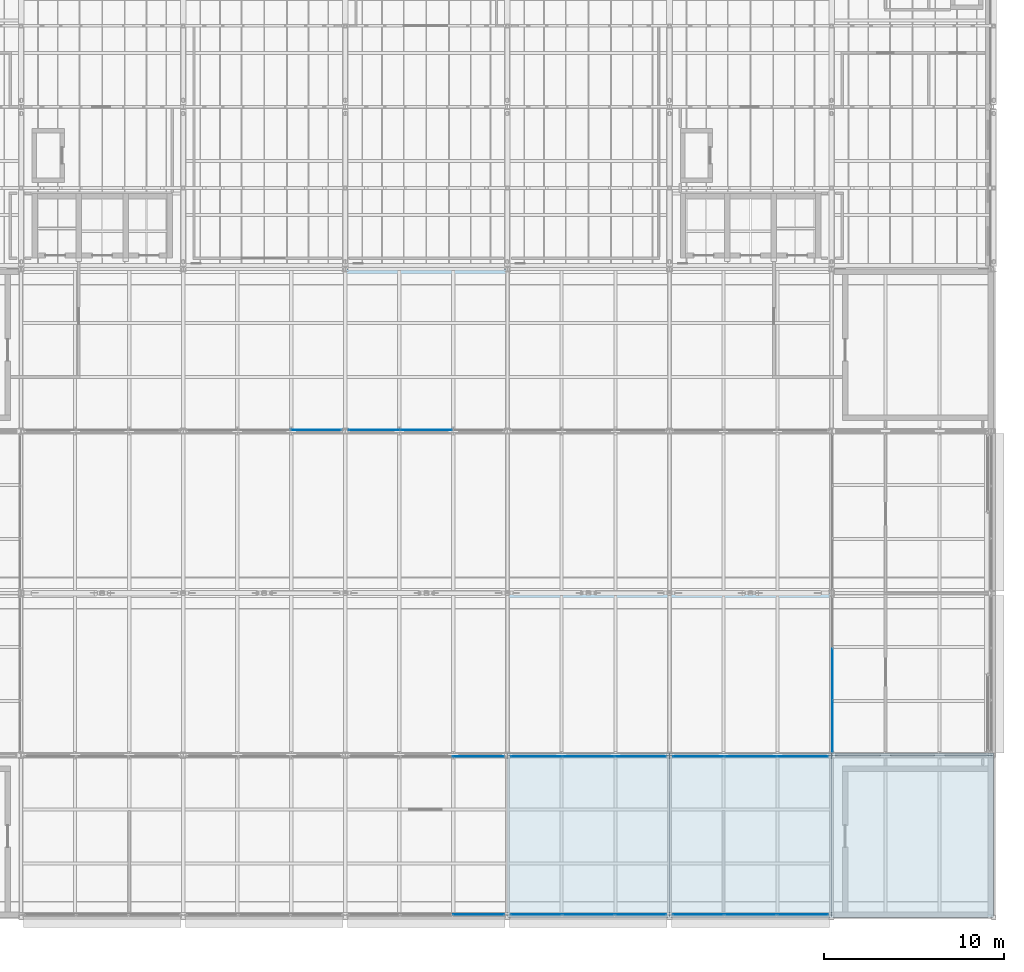
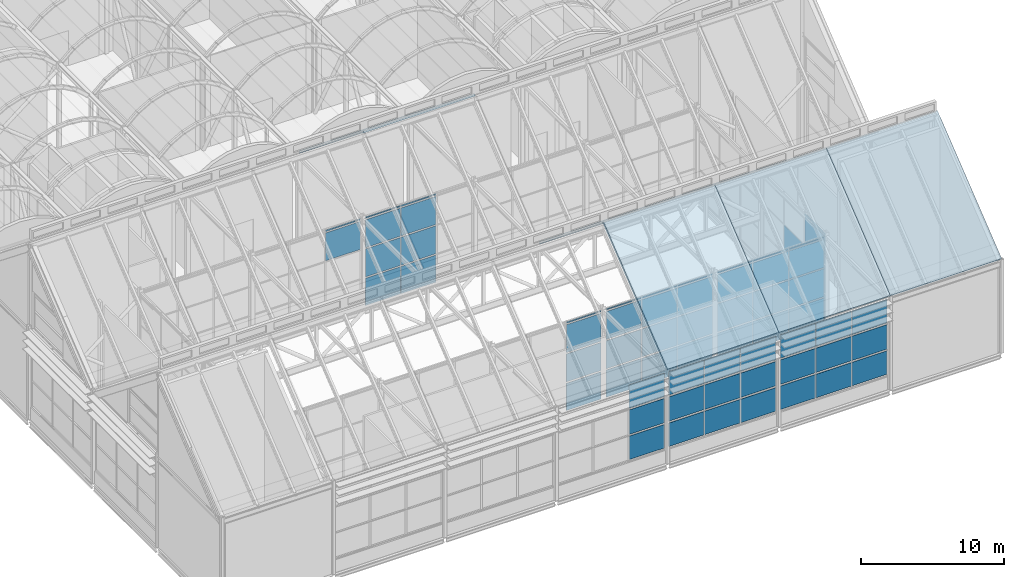
# One storey, part 119 of 144: 65 plates, 6 slabs, 9 elements without a shape of their own.
"""IFC4 building model written with IfcOpenShell, lengths in metres."""

from ifc_helpers import new_model, si_unit, direction, frame, origin, origin_2d, place, context, subcontext, project, spatial, polyline, rectangle, outline, extrude, material, layer, layer_set, type_object, element, aggregate, save


model = new_model("IFC4")

# Units and contexts
model_context = context("Model", 3, precision=1e-05, world=origin(), true_north=direction((0.0, 1.0)))
body_context = subcontext(model_context, "Body", "Model", "MODEL_VIEW")
ifc_project = project(units=[si_unit("LENGTHUNIT", "METRE"), si_unit("AREAUNIT", "SQUARE_METRE"), si_unit("VOLUMEUNIT", "CUBIC_METRE"), si_unit("PLANEANGLEUNIT", "RADIAN"), si_unit("MASSUNIT", "GRAM", prefix="KILO")], contexts=[model_context])

# Site, building, storey
site_placement = place(None, origin())
site = spatial("IfcSite", under=ifc_project, at=site_placement, CompositionType="ELEMENT")
building_placement = place(site_placement, origin())
building = spatial("IfcBuilding", under=site, at=building_placement, Name="Shorebreak Coast Museum", CompositionType="ELEMENT")
storey_placement = place(building_placement, frame((0.0, 0.0, 36.0)))
storey = spatial("IfcBuildingStorey", under=building, at=storey_placement, Name="L06", CompositionType="ELEMENT", Elevation=36.0)

# Curtain wall, plates
ifc_material_1 = material(Name="Aluminium", Category="aluminium")
ifc_layer_1 = layer(ifc_material_1, 0.1201171875)
ifc_layer_set_1 = layer_set([ifc_layer_1], Name="Aluminium")
curtain_wall_type_1 = type_object("IfcCurtainWallType", Name="Atrium fire screen", PredefinedType="NOTDEFINED", material=ifc_layer_set_1)
curtain_wall_1_placement = place(storey_placement, origin())
curtain_wall_1 = element("IfcCurtainWall", 1, at=curtain_wall_1_placement, inside=storey, type_object=curtain_wall_type_1, Name="Atrium screen L06 S 81", PredefinedType="NOTDEFINED")
ifc_material_2 = material(Name="Glass", Category="glass")
ifc_layer_2 = layer(ifc_material_2, 0.034912109375)
ifc_layer_set_2 = layer_set([ifc_layer_2], Name="Glass")
plate_type_1 = type_object("IfcPlateType", Name="Fire-resisting glass panel 35", PredefinedType="CURTAIN_PANEL", material=ifc_layer_set_2)
plate_1_placement = place(storey_placement, frame((88.38525390625, 62.93994140625, 0.1201171875), z_axis=(0.0, 0.0, 1.0), x_axis=(1.0, 0.0, 0.0)))
plate_1 = element("IfcPlate", 2, at=plate_1_placement, type_object=plate_type_1, Name="CW4 panel 3.1", PredefinedType="CURTAIN_PANEL", context=body_context, shape_type="SweptSolid", body=[
    extrude(rectangle(XDim=2.82275390625, YDim=0.034912109375, at=origin_2d()), origin(), (0.0, 0.0, 1.0), 2.320068359375),
])
plate_2_placement = place(storey_placement, frame((88.38525390625, 62.93994140625, 2.56005859375), z_axis=(0.0, 0.0, 1.0), x_axis=(1.0, 0.0, 0.0)))
plate_2 = element("IfcPlate", 3, at=plate_2_placement, type_object=plate_type_1, Name="CW4 panel 3.2", PredefinedType="CURTAIN_PANEL", context=body_context, shape_type="SweptSolid", body=[
    extrude(rectangle(XDim=2.82275390625, YDim=0.034912109375, at=origin_2d()), origin(), (0.0, 0.0, 1.0), 2.3798828125),
])
plate_3_placement = place(storey_placement, frame((88.38525390625, 62.93994140625, 5.06005859375), z_axis=(0.0, 0.0, 1.0), x_axis=(1.0, 0.0, 0.0)))
plate_3 = element("IfcPlate", 4, at=plate_3_placement, type_object=plate_type_1, Name="CW4 panel 3.3", PredefinedType="CURTAIN_PANEL", context=body_context, shape_type="SweptSolid", body=[
    extrude(rectangle(XDim=2.82275390625, YDim=0.034912109375, at=origin_2d()), origin(), (0.0, 0.0, 1.0), 2.3798828125),
])
plate_4_placement = place(storey_placement, frame((88.38525390625, 62.93994140625, 7.56005859375), z_axis=(0.0, 0.0, 1.0), x_axis=(1.0, 0.0, 0.0)))
plate_4 = element("IfcPlate", 5, at=plate_4_placement, type_object=plate_type_1, Name="CW4 panel 3.4", PredefinedType="CURTAIN_PANEL", context=body_context, shape_type="SweptSolid", body=[
    extrude(rectangle(XDim=2.82275390625, YDim=0.034912109375, at=origin_2d()), origin(), (0.0, 0.0, 1.0), 0.1201171875),
])
aggregate(curtain_wall_1, [plate_1, plate_2, plate_3, plate_4])

curtain_wall_2_placement = place(storey_placement, origin())
curtain_wall_2 = element("IfcCurtainWall", 6, at=curtain_wall_2_placement, inside=storey, type_object=curtain_wall_type_1, Name="Atrium screen L06 S 82", PredefinedType="NOTDEFINED")
plate_5_placement = place(storey_placement, frame((91.61474609375, 62.93994140625, 0.1201171875), z_axis=(0.0, 0.0, 1.0), x_axis=(1.0, 0.0, 0.0)))
plate_5 = element("IfcPlate", 7, at=plate_5_placement, type_object=plate_type_1, Name="CW5 panel 1.1", PredefinedType="CURTAIN_PANEL", context=body_context, shape_type="SweptSolid", body=[
    extrude(rectangle(XDim=2.82275390625, YDim=0.034912109375, at=origin_2d()), origin(), (0.0, 0.0, 1.0), 2.320068359375),
])
plate_6_placement = place(storey_placement, frame((91.61474609375, 62.93994140625, 2.56005859375), z_axis=(0.0, 0.0, 1.0), x_axis=(1.0, 0.0, 0.0)))
plate_6 = element("IfcPlate", 8, at=plate_6_placement, type_object=plate_type_1, Name="CW5 panel 1.2", PredefinedType="CURTAIN_PANEL", context=body_context, shape_type="SweptSolid", body=[
    extrude(rectangle(XDim=2.82275390625, YDim=0.034912109375, at=origin_2d()), origin(), (0.0, 0.0, 1.0), 2.3798828125),
])
plate_7_placement = place(storey_placement, frame((91.61474609375, 62.93994140625, 5.06005859375), z_axis=(0.0, 0.0, 1.0), x_axis=(1.0, 0.0, 0.0)))
plate_7 = element("IfcPlate", 9, at=plate_7_placement, type_object=plate_type_1, Name="CW5 panel 1.3", PredefinedType="CURTAIN_PANEL", context=body_context, shape_type="SweptSolid", body=[
    extrude(rectangle(XDim=2.82275390625, YDim=0.034912109375, at=origin_2d()), origin(), (0.0, 0.0, 1.0), 2.3798828125),
])
plate_8_placement = place(storey_placement, frame((91.61474609375, 62.93994140625, 7.56005859375), z_axis=(0.0, 0.0, 1.0), x_axis=(1.0, 0.0, 0.0)))
plate_8 = element("IfcPlate", 10, at=plate_8_placement, type_object=plate_type_1, Name="CW5 panel 1.4", PredefinedType="CURTAIN_PANEL", context=body_context, shape_type="SweptSolid", body=[
    extrude(rectangle(XDim=2.82275390625, YDim=0.034912109375, at=origin_2d()), origin(), (0.0, 0.0, 1.0), 0.1201171875),
])
plate_9_placement = place(storey_placement, frame((94.5, 62.93994140625, 0.1201171875), z_axis=(0.0, 0.0, 1.0), x_axis=(1.0, 0.0, 0.0)))
plate_9 = element("IfcPlate", 11, at=plate_9_placement, type_object=plate_type_1, Name="CW5 panel 2.1", PredefinedType="CURTAIN_PANEL", context=body_context, shape_type="SweptSolid", body=[
    extrude(rectangle(XDim=2.84765625, YDim=0.034912109375, at=origin_2d()), origin(), (0.0, 0.0, 1.0), 2.320068359375),
])
plate_10_placement = place(storey_placement, frame((94.5, 62.93994140625, 2.56005859375), z_axis=(0.0, 0.0, 1.0), x_axis=(1.0, 0.0, 0.0)))
plate_10 = element("IfcPlate", 12, at=plate_10_placement, type_object=plate_type_1, Name="CW5 panel 2.2", PredefinedType="CURTAIN_PANEL", context=body_context, shape_type="SweptSolid", body=[
    extrude(rectangle(XDim=2.84765625, YDim=0.034912109375, at=origin_2d()), origin(), (0.0, 0.0, 1.0), 2.3798828125),
])
plate_11_placement = place(storey_placement, frame((94.5, 62.93994140625, 5.06005859375), z_axis=(0.0, 0.0, 1.0), x_axis=(1.0, 0.0, 0.0)))
plate_11 = element("IfcPlate", 13, at=plate_11_placement, type_object=plate_type_1, Name="CW5 panel 2.3", PredefinedType="CURTAIN_PANEL", context=body_context, shape_type="SweptSolid", body=[
    extrude(rectangle(XDim=2.84765625, YDim=0.034912109375, at=origin_2d()), origin(), (0.0, 0.0, 1.0), 2.3798828125),
])
plate_12_placement = place(storey_placement, frame((94.5, 62.93994140625, 7.56005859375), z_axis=(0.0, 0.0, 1.0), x_axis=(1.0, 0.0, 0.0)))
plate_12 = element("IfcPlate", 14, at=plate_12_placement, type_object=plate_type_1, Name="CW5 panel 2.4", PredefinedType="CURTAIN_PANEL", context=body_context, shape_type="SweptSolid", body=[
    extrude(rectangle(XDim=2.84765625, YDim=0.034912109375, at=origin_2d()), origin(), (0.0, 0.0, 1.0), 0.1201171875),
])
plate_13_placement = place(storey_placement, frame((97.38525390625, 62.93994140625, 0.1201171875), z_axis=(0.0, 0.0, 1.0), x_axis=(1.0, 0.0, 0.0)))
plate_13 = element("IfcPlate", 15, at=plate_13_placement, type_object=plate_type_1, Name="CW5 panel 3.1", PredefinedType="CURTAIN_PANEL", context=body_context, shape_type="SweptSolid", body=[
    extrude(rectangle(XDim=2.82275390625, YDim=0.034912109375, at=origin_2d()), origin(), (0.0, 0.0, 1.0), 2.320068359375),
])
plate_14_placement = place(storey_placement, frame((97.38525390625, 62.93994140625, 2.56005859375), z_axis=(0.0, 0.0, 1.0), x_axis=(1.0, 0.0, 0.0)))
plate_14 = element("IfcPlate", 16, at=plate_14_placement, type_object=plate_type_1, Name="CW5 panel 3.2", PredefinedType="CURTAIN_PANEL", context=body_context, shape_type="SweptSolid", body=[
    extrude(rectangle(XDim=2.82275390625, YDim=0.034912109375, at=origin_2d()), origin(), (0.0, 0.0, 1.0), 2.3798828125),
])
plate_15_placement = place(storey_placement, frame((97.38525390625, 62.93994140625, 5.06005859375), z_axis=(0.0, 0.0, 1.0), x_axis=(1.0, 0.0, 0.0)))
plate_15 = element("IfcPlate", 17, at=plate_15_placement, type_object=plate_type_1, Name="CW5 panel 3.3", PredefinedType="CURTAIN_PANEL", context=body_context, shape_type="SweptSolid", body=[
    extrude(rectangle(XDim=2.82275390625, YDim=0.034912109375, at=origin_2d()), origin(), (0.0, 0.0, 1.0), 2.3798828125),
])
plate_16_placement = place(storey_placement, frame((97.38525390625, 62.93994140625, 7.56005859375), z_axis=(0.0, 0.0, 1.0), x_axis=(1.0, 0.0, 0.0)))
plate_16 = element("IfcPlate", 18, at=plate_16_placement, type_object=plate_type_1, Name="CW5 panel 3.4", PredefinedType="CURTAIN_PANEL", context=body_context, shape_type="SweptSolid", body=[
    extrude(rectangle(XDim=2.82275390625, YDim=0.034912109375, at=origin_2d()), origin(), (0.0, 0.0, 1.0), 0.1201171875),
])
aggregate(curtain_wall_2, [plate_5, plate_6, plate_7, plate_8, plate_9, plate_10, plate_11, plate_12, plate_13, plate_14, plate_15, plate_16])

curtain_wall_3_placement = place(storey_placement, origin())
curtain_wall_3 = element("IfcCurtainWall", 19, at=curtain_wall_3_placement, inside=storey, type_object=curtain_wall_type_1, Name="Atrium screen L06 S 83", PredefinedType="NOTDEFINED")
plate_17_placement = place(storey_placement, frame((100.61474609375, 62.93994140625, 0.1201171875), z_axis=(0.0, 0.0, 1.0), x_axis=(1.0, 0.0, 0.0)))
plate_17 = element("IfcPlate", 20, at=plate_17_placement, type_object=plate_type_1, Name="CW6 panel 1.1", PredefinedType="CURTAIN_PANEL", context=body_context, shape_type="SweptSolid", body=[
    extrude(rectangle(XDim=2.82275390625, YDim=0.034912109375, at=origin_2d()), origin(), (0.0, 0.0, 1.0), 2.320068359375),
])
plate_18_placement = place(storey_placement, frame((100.61474609375, 62.93994140625, 2.56005859375), z_axis=(0.0, 0.0, 1.0), x_axis=(1.0, 0.0, 0.0)))
plate_18 = element("IfcPlate", 21, at=plate_18_placement, type_object=plate_type_1, Name="CW6 panel 1.2", PredefinedType="CURTAIN_PANEL", context=body_context, shape_type="SweptSolid", body=[
    extrude(rectangle(XDim=2.82275390625, YDim=0.034912109375, at=origin_2d()), origin(), (0.0, 0.0, 1.0), 2.3798828125),
])
plate_19_placement = place(storey_placement, frame((100.61474609375, 62.93994140625, 5.06005859375), z_axis=(0.0, 0.0, 1.0), x_axis=(1.0, 0.0, 0.0)))
plate_19 = element("IfcPlate", 22, at=plate_19_placement, type_object=plate_type_1, Name="CW6 panel 1.3", PredefinedType="CURTAIN_PANEL", context=body_context, shape_type="SweptSolid", body=[
    extrude(rectangle(XDim=2.82275390625, YDim=0.034912109375, at=origin_2d()), origin(), (0.0, 0.0, 1.0), 2.3798828125),
])
plate_20_placement = place(storey_placement, frame((100.61474609375, 62.93994140625, 7.56005859375), z_axis=(0.0, 0.0, 1.0), x_axis=(1.0, 0.0, 0.0)))
plate_20 = element("IfcPlate", 23, at=plate_20_placement, type_object=plate_type_1, Name="CW6 panel 1.4", PredefinedType="CURTAIN_PANEL", context=body_context, shape_type="SweptSolid", body=[
    extrude(rectangle(XDim=2.82275390625, YDim=0.034912109375, at=origin_2d()), origin(), (0.0, 0.0, 1.0), 0.1201171875),
])
plate_21_placement = place(storey_placement, frame((103.5, 62.93994140625, 0.1201171875), z_axis=(0.0, 0.0, 1.0), x_axis=(1.0, 0.0, 0.0)))
plate_21 = element("IfcPlate", 24, at=plate_21_placement, type_object=plate_type_1, Name="CW6 panel 2.1", PredefinedType="CURTAIN_PANEL", context=body_context, shape_type="SweptSolid", body=[
    extrude(rectangle(XDim=2.84765625, YDim=0.034912109375, at=origin_2d()), origin(), (0.0, 0.0, 1.0), 2.320068359375),
])
plate_22_placement = place(storey_placement, frame((103.5, 62.93994140625, 2.56005859375), z_axis=(0.0, 0.0, 1.0), x_axis=(1.0, 0.0, 0.0)))
plate_22 = element("IfcPlate", 25, at=plate_22_placement, type_object=plate_type_1, Name="CW6 panel 2.2", PredefinedType="CURTAIN_PANEL", context=body_context, shape_type="SweptSolid", body=[
    extrude(rectangle(XDim=2.84765625, YDim=0.034912109375, at=origin_2d()), origin(), (0.0, 0.0, 1.0), 2.3798828125),
])
plate_23_placement = place(storey_placement, frame((103.5, 62.93994140625, 5.06005859375), z_axis=(0.0, 0.0, 1.0), x_axis=(1.0, 0.0, 0.0)))
plate_23 = element("IfcPlate", 26, at=plate_23_placement, type_object=plate_type_1, Name="CW6 panel 2.3", PredefinedType="CURTAIN_PANEL", context=body_context, shape_type="SweptSolid", body=[
    extrude(rectangle(XDim=2.84765625, YDim=0.034912109375, at=origin_2d()), origin(), (0.0, 0.0, 1.0), 2.3798828125),
])
plate_24_placement = place(storey_placement, frame((103.5, 62.93994140625, 7.56005859375), z_axis=(0.0, 0.0, 1.0), x_axis=(1.0, 0.0, 0.0)))
plate_24 = element("IfcPlate", 27, at=plate_24_placement, type_object=plate_type_1, Name="CW6 panel 2.4", PredefinedType="CURTAIN_PANEL", context=body_context, shape_type="SweptSolid", body=[
    extrude(rectangle(XDim=2.84765625, YDim=0.034912109375, at=origin_2d()), origin(), (0.0, 0.0, 1.0), 0.1201171875),
])
plate_25_placement = place(storey_placement, frame((106.38525390625, 62.93994140625, 0.1201171875), z_axis=(0.0, 0.0, 1.0), x_axis=(1.0, 0.0, 0.0)))
plate_25 = element("IfcPlate", 28, at=plate_25_placement, type_object=plate_type_1, Name="CW6 panel 3.1", PredefinedType="CURTAIN_PANEL", context=body_context, shape_type="SweptSolid", body=[
    extrude(rectangle(XDim=2.82275390625, YDim=0.034912109375, at=origin_2d()), origin(), (0.0, 0.0, 1.0), 2.320068359375),
])
plate_26_placement = place(storey_placement, frame((106.38525390625, 62.93994140625, 2.56005859375), z_axis=(0.0, 0.0, 1.0), x_axis=(1.0, 0.0, 0.0)))
plate_26 = element("IfcPlate", 29, at=plate_26_placement, type_object=plate_type_1, Name="CW6 panel 3.2", PredefinedType="CURTAIN_PANEL", context=body_context, shape_type="SweptSolid", body=[
    extrude(rectangle(XDim=2.82275390625, YDim=0.034912109375, at=origin_2d()), origin(), (0.0, 0.0, 1.0), 2.3798828125),
])
plate_27_placement = place(storey_placement, frame((106.38525390625, 62.93994140625, 5.06005859375), z_axis=(0.0, 0.0, 1.0), x_axis=(1.0, 0.0, 0.0)))
plate_27 = element("IfcPlate", 30, at=plate_27_placement, type_object=plate_type_1, Name="CW6 panel 3.3", PredefinedType="CURTAIN_PANEL", context=body_context, shape_type="SweptSolid", body=[
    extrude(rectangle(XDim=2.82275390625, YDim=0.034912109375, at=origin_2d()), origin(), (0.0, 0.0, 1.0), 2.3798828125),
])
plate_28_placement = place(storey_placement, frame((106.38525390625, 62.93994140625, 7.56005859375), z_axis=(0.0, 0.0, 1.0), x_axis=(1.0, 0.0, 0.0)))
plate_28 = element("IfcPlate", 31, at=plate_28_placement, type_object=plate_type_1, Name="CW6 panel 3.4", PredefinedType="CURTAIN_PANEL", context=body_context, shape_type="SweptSolid", body=[
    extrude(rectangle(XDim=2.82275390625, YDim=0.034912109375, at=origin_2d()), origin(), (0.0, 0.0, 1.0), 0.1201171875),
])
aggregate(curtain_wall_3, [plate_17, plate_18, plate_19, plate_20, plate_21, plate_22, plate_23, plate_24, plate_25, plate_26, plate_27, plate_28])

curtain_wall_4_placement = place(storey_placement, origin())
curtain_wall_4 = element("IfcCurtainWall", 32, at=curtain_wall_4_placement, inside=storey, type_object=curtain_wall_type_1, Name="Atrium screen L06 N 85", PredefinedType="NOTDEFINED")
plate_29_placement = place(storey_placement, frame((79.38525390625, 81.06005859375, 5.06005859375), z_axis=(0.0, 0.0, 1.0), x_axis=(1.0, 0.0, 0.0)))
plate_29 = element("IfcPlate", 33, at=plate_29_placement, type_object=plate_type_1, Name="CW5 panel 3.3", PredefinedType="CURTAIN_PANEL", context=body_context, shape_type="SweptSolid", body=[
    extrude(rectangle(XDim=2.82275390625, YDim=0.034912109375, at=origin_2d()), origin(), (0.0, 0.0, 1.0), 2.3798828125),
])
plate_30_placement = place(storey_placement, frame((79.38525390625, 81.06005859375, 7.56005859375), z_axis=(0.0, 0.0, 1.0), x_axis=(1.0, 0.0, 0.0)))
plate_30 = element("IfcPlate", 34, at=plate_30_placement, type_object=plate_type_1, Name="CW5 panel 3.4", PredefinedType="CURTAIN_PANEL", context=body_context, shape_type="SweptSolid", body=[
    extrude(rectangle(XDim=2.82275390625, YDim=0.034912109375, at=origin_2d()), origin(), (0.0, 0.0, 1.0), 0.1201171875),
])
aggregate(curtain_wall_4, [plate_29, plate_30])

curtain_wall_5_placement = place(storey_placement, origin())
curtain_wall_5 = element("IfcCurtainWall", 35, at=curtain_wall_5_placement, inside=storey, type_object=curtain_wall_type_1, Name="Atrium screen L06 N 86", PredefinedType="NOTDEFINED")
plate_31_placement = place(storey_placement, frame((82.61474609375, 81.06005859375, 0.1201171875), z_axis=(0.0, 0.0, 1.0), x_axis=(1.0, 0.0, 0.0)))
plate_31 = element("IfcPlate", 36, at=plate_31_placement, type_object=plate_type_1, Name="CW6 panel 1.1", PredefinedType="CURTAIN_PANEL", context=body_context, shape_type="SweptSolid", body=[
    extrude(rectangle(XDim=2.82275390625, YDim=0.034912109375, at=origin_2d()), origin(), (0.0, 0.0, 1.0), 2.320068359375),
])
plate_32_placement = place(storey_placement, frame((82.61474609375, 81.06005859375, 2.56005859375), z_axis=(0.0, 0.0, 1.0), x_axis=(1.0, 0.0, 0.0)))
plate_32 = element("IfcPlate", 37, at=plate_32_placement, type_object=plate_type_1, Name="CW6 panel 1.2", PredefinedType="CURTAIN_PANEL", context=body_context, shape_type="SweptSolid", body=[
    extrude(rectangle(XDim=2.82275390625, YDim=0.034912109375, at=origin_2d()), origin(), (0.0, 0.0, 1.0), 2.3798828125),
])
plate_33_placement = place(storey_placement, frame((82.61474609375, 81.06005859375, 5.06005859375), z_axis=(0.0, 0.0, 1.0), x_axis=(1.0, 0.0, 0.0)))
plate_33 = element("IfcPlate", 38, at=plate_33_placement, type_object=plate_type_1, Name="CW6 panel 1.3", PredefinedType="CURTAIN_PANEL", context=body_context, shape_type="SweptSolid", body=[
    extrude(rectangle(XDim=2.82275390625, YDim=0.034912109375, at=origin_2d()), origin(), (0.0, 0.0, 1.0), 2.3798828125),
])
plate_34_placement = place(storey_placement, frame((82.61474609375, 81.06005859375, 7.56005859375), z_axis=(0.0, 0.0, 1.0), x_axis=(1.0, 0.0, 0.0)))
plate_34 = element("IfcPlate", 39, at=plate_34_placement, type_object=plate_type_1, Name="CW6 panel 1.4", PredefinedType="CURTAIN_PANEL", context=body_context, shape_type="SweptSolid", body=[
    extrude(rectangle(XDim=2.82275390625, YDim=0.034912109375, at=origin_2d()), origin(), (0.0, 0.0, 1.0), 0.1201171875),
])
plate_35_placement = place(storey_placement, frame((85.5, 81.06005859375, 0.1201171875), z_axis=(0.0, 0.0, 1.0), x_axis=(1.0, 0.0, 0.0)))
plate_35 = element("IfcPlate", 40, at=plate_35_placement, type_object=plate_type_1, Name="CW6 panel 2.1", PredefinedType="CURTAIN_PANEL", context=body_context, shape_type="SweptSolid", body=[
    extrude(rectangle(XDim=2.84765625, YDim=0.034912109375, at=origin_2d()), origin(), (0.0, 0.0, 1.0), 2.320068359375),
])
plate_36_placement = place(storey_placement, frame((85.5, 81.06005859375, 2.56005859375), z_axis=(0.0, 0.0, 1.0), x_axis=(1.0, 0.0, 0.0)))
plate_36 = element("IfcPlate", 41, at=plate_36_placement, type_object=plate_type_1, Name="CW6 panel 2.2", PredefinedType="CURTAIN_PANEL", context=body_context, shape_type="SweptSolid", body=[
    extrude(rectangle(XDim=2.84765625, YDim=0.034912109375, at=origin_2d()), origin(), (0.0, 0.0, 1.0), 2.3798828125),
])
plate_37_placement = place(storey_placement, frame((85.5, 81.06005859375, 5.06005859375), z_axis=(0.0, 0.0, 1.0), x_axis=(1.0, 0.0, 0.0)))
plate_37 = element("IfcPlate", 42, at=plate_37_placement, type_object=plate_type_1, Name="CW6 panel 2.3", PredefinedType="CURTAIN_PANEL", context=body_context, shape_type="SweptSolid", body=[
    extrude(rectangle(XDim=2.84765625, YDim=0.034912109375, at=origin_2d()), origin(), (0.0, 0.0, 1.0), 2.3798828125),
])
plate_38_placement = place(storey_placement, frame((85.5, 81.06005859375, 7.56005859375), z_axis=(0.0, 0.0, 1.0), x_axis=(1.0, 0.0, 0.0)))
plate_38 = element("IfcPlate", 43, at=plate_38_placement, type_object=plate_type_1, Name="CW6 panel 2.4", PredefinedType="CURTAIN_PANEL", context=body_context, shape_type="SweptSolid", body=[
    extrude(rectangle(XDim=2.84765625, YDim=0.034912109375, at=origin_2d()), origin(), (0.0, 0.0, 1.0), 0.1201171875),
])
aggregate(curtain_wall_5, [plate_31, plate_32, plate_33, plate_34, plate_35, plate_36, plate_37, plate_38])

curtain_wall_6_placement = place(storey_placement, origin())
curtain_wall_6 = element("IfcCurtainWall", 44, at=curtain_wall_6_placement, inside=storey, type_object=curtain_wall_type_1, Name="Atrium screen L06 E 91", PredefinedType="NOTDEFINED")
plate_39_placement = place(storey_placement, frame((108.06005859375, 64.6162109375, 0.1201171875), z_axis=(0.0, 0.0, 1.0), x_axis=(0.0, 1.0, 0.0)))
plate_39 = element("IfcPlate", 45, at=plate_39_placement, type_object=plate_type_1, Name="CW5 panel 1.1", PredefinedType="CURTAIN_PANEL", context=body_context, shape_type="SweptSolid", body=[
    extrude(rectangle(XDim=2.818115234375, YDim=0.034912109375, at=origin_2d()), origin(), (0.0, 0.0, 1.0), 2.320068359375),
])
plate_40_placement = place(storey_placement, frame((108.06005859375, 64.6162109375, 2.56005859375), z_axis=(0.0, 0.0, 1.0), x_axis=(0.0, 1.0, 0.0)))
plate_40 = element("IfcPlate", 46, at=plate_40_placement, type_object=plate_type_1, Name="CW5 panel 1.2", PredefinedType="CURTAIN_PANEL", context=body_context, shape_type="SweptSolid", body=[
    extrude(rectangle(XDim=2.818115234375, YDim=0.034912109375, at=origin_2d()), origin(), (0.0, 0.0, 1.0), 2.3798828125),
])
plate_41_placement = place(storey_placement, frame((108.06005859375, 64.6162109375, 5.06005859375), z_axis=(0.0, 0.0, 1.0), x_axis=(0.0, 1.0, 0.0)))
plate_41 = element("IfcPlate", 47, at=plate_41_placement, type_object=plate_type_1, Name="CW5 panel 1.3", PredefinedType="CURTAIN_PANEL", context=body_context, shape_type="SweptSolid", body=[
    extrude(rectangle(XDim=2.818115234375, YDim=0.034912109375, at=origin_2d()), origin(), (0.0, 0.0, 1.0), 2.3798828125),
])
plate_42_placement = place(storey_placement, frame((108.06005859375, 64.6162109375, 7.56005859375), z_axis=(0.0, 0.0, 1.0), x_axis=(0.0, 1.0, 0.0)))
plate_42 = element("IfcPlate", 48, at=plate_42_placement, type_object=plate_type_1, Name="CW5 panel 1.4", PredefinedType="CURTAIN_PANEL", context=body_context, shape_type="SweptSolid", body=[
    extrude(rectangle(XDim=2.818115234375, YDim=0.034912109375, at=origin_2d()), origin(), (0.0, 0.0, 1.0), 0.1201171875),
])
plate_43_placement = place(storey_placement, frame((108.06005859375, 67.496826171875, 0.1201171875), z_axis=(0.0, 0.0, 1.0), x_axis=(0.0, 1.0, 0.0)))
plate_43 = element("IfcPlate", 49, at=plate_43_placement, type_object=plate_type_1, Name="CW5 panel 2.1", PredefinedType="CURTAIN_PANEL", context=body_context, shape_type="SweptSolid", body=[
    extrude(rectangle(XDim=2.843017578125, YDim=0.034912109375, at=origin_2d()), origin(), (0.0, 0.0, 1.0), 2.320068359375),
])
plate_44_placement = place(storey_placement, frame((108.06005859375, 67.496826171875, 2.56005859375), z_axis=(0.0, 0.0, 1.0), x_axis=(0.0, 1.0, 0.0)))
plate_44 = element("IfcPlate", 50, at=plate_44_placement, type_object=plate_type_1, Name="CW5 panel 2.2", PredefinedType="CURTAIN_PANEL", context=body_context, shape_type="SweptSolid", body=[
    extrude(rectangle(XDim=2.843017578125, YDim=0.034912109375, at=origin_2d()), origin(), (0.0, 0.0, 1.0), 2.3798828125),
])
aggregate(curtain_wall_6, [plate_39, plate_40, plate_41, plate_42, plate_43, plate_44])

# Slabs
ifc_material_3 = material(Name="Concrete N50 (50 MPa)", Category="concrete")
ifc_layer_3 = layer(ifc_material_3, 0.199951171875)
ifc_layer_set_3 = layer_set([ifc_layer_3], Name="Concrete N50 (50 MPa)")
slab_type = type_object("IfcSlabType", Name="Roof slab folded plate 200 concrete N50", PredefinedType="ROOF", material=ifc_layer_set_3)
for number, where, z_axis, x_axis, name in (
    (51, (90.0, 54.0, 8.0), (0.0, -0.624692464322, 0.780870876022), (1.0, 0.0, 0.0), "Folded roof slab FOLD-X-P05"),
    (52, (99.0, 54.0, 8.0), (0.0, -0.624692464322, 0.780870876022), (1.0, 0.0, 0.0), "Folded roof slab FOLD-X-P06"),
    (53, (108.0, 54.0, 8.0), (0.0, -0.624692464322, 0.780870876022), (1.0, 0.0, 0.0), "Folded roof slab FOLD-X-P07"),
    (54, (90.0, 63.0, 15.199951171875), (0.0, 0.624692464322, 0.780870876022), (1.0, 0.0, 0.0), "Folded roof slab FOLD-X-P12"),
    (55, (99.0, 63.0, 15.199951171875), (0.0, 0.624692464322, 0.780870876022), (1.0, 0.0, 0.0), "Folded roof slab FOLD-X-P13"),
    (56, (81.0, 81.0, 15.199951171875), (0.0, 0.624692464322, 0.780870876022), (1.0, 0.0, 0.0), "Folded roof slab FOLD-X-P25"),
):
    element("IfcSlab", number, at=place(storey_placement, frame(where, z_axis=z_axis, x_axis=x_axis)), inside=storey, type_object=slab_type, Name=name, PredefinedType="ROOF", context=body_context, shape_type="SweptSolid", body=[
        extrude(outline(polyline([(0.0, 0.0), (9.0, 0.0), (9.0, 11.525593124754327), (0.0, 11.525593124754327), (0.0, 0.0)])), origin(), (0.0, 0.0, -1.0), 0.199951171875),
    ])

# Curtain wall, plates
ifc_material_4 = material(Name="Aluminium", Category="aluminium")
ifc_layer_4 = layer(ifc_material_4, 0.14990234375)
ifc_layer_set_4 = layer_set([ifc_layer_4], Name="Aluminium")
curtain_wall_type_2 = type_object("IfcCurtainWallType", Name="Storefront curtain wall", PredefinedType="NOTDEFINED", material=ifc_layer_set_4)
curtain_wall_7_placement = place(storey_placement, origin())
curtain_wall_7 = element("IfcCurtainWall", 57, at=curtain_wall_7_placement, inside=storey, type_object=curtain_wall_type_2, Name="Atrium Hall glazing L06 S 24", PredefinedType="NOTDEFINED")
ifc_material_5 = material(Name="Glass", Category="glass")
ifc_layer_5 = layer(ifc_material_5, 0.031982421875)
ifc_layer_set_5 = layer_set([ifc_layer_5], Name="Glass")
plate_type_2 = type_object("IfcPlateType", Name="Storefront glass panel 32", PredefinedType="CURTAIN_PANEL", material=ifc_layer_set_5)
plate_45_placement = place(storey_placement, frame((88.404052734375, 54.14990234375, 1.25), z_axis=(0.0, 0.0, 1.0), x_axis=(1.0, 0.0, 0.0)))
plate_45 = element("IfcPlate", 58, at=plate_45_placement, type_object=plate_type_2, Name="CW5 panel 3.1", PredefinedType="CURTAIN_PANEL", context=body_context, shape_type="SweptSolid", body=[
    extrude(rectangle(XDim=2.841552734375, YDim=0.031982421875, at=origin_2d()), origin(), (0.0, 0.0, 1.0), 2.00830078125),
])
plate_46_placement = place(storey_placement, frame((88.404052734375, 54.14990234375, 3.408203125), z_axis=(0.0, 0.0, 1.0), x_axis=(1.0, 0.0, 0.0)))
plate_46 = element("IfcPlate", 59, at=plate_46_placement, type_object=plate_type_2, Name="CW5 panel 3.2", PredefinedType="CURTAIN_PANEL", context=body_context, shape_type="SweptSolid", body=[
    extrude(rectangle(XDim=2.841552734375, YDim=0.031982421875, at=origin_2d()), origin(), (0.0, 0.0, 1.0), 2.08349609375),
])
plate_47_placement = place(storey_placement, frame((88.404052734375, 54.14990234375, 5.6416015625), z_axis=(0.0, 0.0, 1.0), x_axis=(1.0, 0.0, 0.0)))
plate_47 = element("IfcPlate", 60, at=plate_47_placement, type_object=plate_type_2, Name="CW5 panel 3.3", PredefinedType="CURTAIN_PANEL", context=body_context, shape_type="SweptSolid", body=[
    extrude(rectangle(XDim=2.841552734375, YDim=0.031982421875, at=origin_2d()), origin(), (0.0, 0.0, 1.0), 2.00830078125),
])
aggregate(curtain_wall_7, [plate_45, plate_46, plate_47])

curtain_wall_8_placement = place(storey_placement, origin())
curtain_wall_8 = element("IfcCurtainWall", 61, at=curtain_wall_8_placement, inside=storey, type_object=curtain_wall_type_2, Name="Atrium Hall glazing L06 S 25", PredefinedType="NOTDEFINED")
plate_48_placement = place(storey_placement, frame((91.595947265625, 54.14990234375, 1.25), z_axis=(0.0, 0.0, 1.0), x_axis=(1.0, 0.0, 0.0)))
plate_48 = element("IfcPlate", 62, at=plate_48_placement, type_object=plate_type_2, Name="CW5 panel 1.1", PredefinedType="CURTAIN_PANEL", context=body_context, shape_type="SweptSolid", body=[
    extrude(rectangle(XDim=2.841552734375, YDim=0.031982421875, at=origin_2d()), origin(), (0.0, 0.0, 1.0), 2.00830078125),
])
plate_49_placement = place(storey_placement, frame((91.595947265625, 54.14990234375, 3.408203125), z_axis=(0.0, 0.0, 1.0), x_axis=(1.0, 0.0, 0.0)))
plate_49 = element("IfcPlate", 63, at=plate_49_placement, type_object=plate_type_2, Name="CW5 panel 1.2", PredefinedType="CURTAIN_PANEL", context=body_context, shape_type="SweptSolid", body=[
    extrude(rectangle(XDim=2.841552734375, YDim=0.031982421875, at=origin_2d()), origin(), (0.0, 0.0, 1.0), 2.08349609375),
])
plate_50_placement = place(storey_placement, frame((91.595947265625, 54.14990234375, 5.6416015625), z_axis=(0.0, 0.0, 1.0), x_axis=(1.0, 0.0, 0.0)))
plate_50 = element("IfcPlate", 64, at=plate_50_placement, type_object=plate_type_2, Name="CW5 panel 1.3", PredefinedType="CURTAIN_PANEL", context=body_context, shape_type="SweptSolid", body=[
    extrude(rectangle(XDim=2.841552734375, YDim=0.031982421875, at=origin_2d()), origin(), (0.0, 0.0, 1.0), 2.00830078125),
])
plate_51_placement = place(storey_placement, frame((94.5, 54.14990234375, 1.25), z_axis=(0.0, 0.0, 1.0), x_axis=(1.0, 0.0, 0.0)))
plate_51 = element("IfcPlate", 65, at=plate_51_placement, type_object=plate_type_2, Name="CW5 panel 2.1", PredefinedType="CURTAIN_PANEL", context=body_context, shape_type="SweptSolid", body=[
    extrude(rectangle(XDim=2.86669921875, YDim=0.031982421875, at=origin_2d()), origin(), (0.0, 0.0, 1.0), 2.00830078125),
])
plate_52_placement = place(storey_placement, frame((94.5, 54.14990234375, 3.408203125), z_axis=(0.0, 0.0, 1.0), x_axis=(1.0, 0.0, 0.0)))
plate_52 = element("IfcPlate", 66, at=plate_52_placement, type_object=plate_type_2, Name="CW5 panel 2.2", PredefinedType="CURTAIN_PANEL", context=body_context, shape_type="SweptSolid", body=[
    extrude(rectangle(XDim=2.86669921875, YDim=0.031982421875, at=origin_2d()), origin(), (0.0, 0.0, 1.0), 2.08349609375),
])
plate_53_placement = place(storey_placement, frame((94.5, 54.14990234375, 5.6416015625), z_axis=(0.0, 0.0, 1.0), x_axis=(1.0, 0.0, 0.0)))
plate_53 = element("IfcPlate", 67, at=plate_53_placement, type_object=plate_type_2, Name="CW5 panel 2.3", PredefinedType="CURTAIN_PANEL", context=body_context, shape_type="SweptSolid", body=[
    extrude(rectangle(XDim=2.86669921875, YDim=0.031982421875, at=origin_2d()), origin(), (0.0, 0.0, 1.0), 2.00830078125),
])
plate_54_placement = place(storey_placement, frame((97.404052734375, 54.14990234375, 1.25), z_axis=(0.0, 0.0, 1.0), x_axis=(1.0, 0.0, 0.0)))
plate_54 = element("IfcPlate", 68, at=plate_54_placement, type_object=plate_type_2, Name="CW5 panel 3.1", PredefinedType="CURTAIN_PANEL", context=body_context, shape_type="SweptSolid", body=[
    extrude(rectangle(XDim=2.841552734375, YDim=0.031982421875, at=origin_2d()), origin(), (0.0, 0.0, 1.0), 2.00830078125),
])
plate_55_placement = place(storey_placement, frame((97.404052734375, 54.14990234375, 3.408203125), z_axis=(0.0, 0.0, 1.0), x_axis=(1.0, 0.0, 0.0)))
plate_55 = element("IfcPlate", 69, at=plate_55_placement, type_object=plate_type_2, Name="CW5 panel 3.2", PredefinedType="CURTAIN_PANEL", context=body_context, shape_type="SweptSolid", body=[
    extrude(rectangle(XDim=2.841552734375, YDim=0.031982421875, at=origin_2d()), origin(), (0.0, 0.0, 1.0), 2.08349609375),
])
plate_56_placement = place(storey_placement, frame((97.404052734375, 54.14990234375, 5.6416015625), z_axis=(0.0, 0.0, 1.0), x_axis=(1.0, 0.0, 0.0)))
plate_56 = element("IfcPlate", 70, at=plate_56_placement, type_object=plate_type_2, Name="CW5 panel 3.3", PredefinedType="CURTAIN_PANEL", context=body_context, shape_type="SweptSolid", body=[
    extrude(rectangle(XDim=2.841552734375, YDim=0.031982421875, at=origin_2d()), origin(), (0.0, 0.0, 1.0), 2.00830078125),
])
aggregate(curtain_wall_8, [plate_48, plate_49, plate_50, plate_51, plate_52, plate_53, plate_54, plate_55, plate_56])

curtain_wall_9_placement = place(storey_placement, origin())
curtain_wall_9 = element("IfcCurtainWall", 71, at=curtain_wall_9_placement, inside=storey, type_object=curtain_wall_type_2, Name="Atrium Hall glazing L06 S 26", PredefinedType="NOTDEFINED")
plate_57_placement = place(storey_placement, frame((100.595947265625, 54.14990234375, 1.25), z_axis=(0.0, 0.0, 1.0), x_axis=(1.0, 0.0, 0.0)))
plate_57 = element("IfcPlate", 72, at=plate_57_placement, type_object=plate_type_2, Name="CW5 panel 1.1", PredefinedType="CURTAIN_PANEL", context=body_context, shape_type="SweptSolid", body=[
    extrude(rectangle(XDim=2.841552734375, YDim=0.031982421875, at=origin_2d()), origin(), (0.0, 0.0, 1.0), 2.00830078125),
])
plate_58_placement = place(storey_placement, frame((100.595947265625, 54.14990234375, 3.408203125), z_axis=(0.0, 0.0, 1.0), x_axis=(1.0, 0.0, 0.0)))
plate_58 = element("IfcPlate", 73, at=plate_58_placement, type_object=plate_type_2, Name="CW5 panel 1.2", PredefinedType="CURTAIN_PANEL", context=body_context, shape_type="SweptSolid", body=[
    extrude(rectangle(XDim=2.841552734375, YDim=0.031982421875, at=origin_2d()), origin(), (0.0, 0.0, 1.0), 2.08349609375),
])
plate_59_placement = place(storey_placement, frame((100.595947265625, 54.14990234375, 5.6416015625), z_axis=(0.0, 0.0, 1.0), x_axis=(1.0, 0.0, 0.0)))
plate_59 = element("IfcPlate", 74, at=plate_59_placement, type_object=plate_type_2, Name="CW5 panel 1.3", PredefinedType="CURTAIN_PANEL", context=body_context, shape_type="SweptSolid", body=[
    extrude(rectangle(XDim=2.841552734375, YDim=0.031982421875, at=origin_2d()), origin(), (0.0, 0.0, 1.0), 2.00830078125),
])
plate_60_placement = place(storey_placement, frame((103.5, 54.14990234375, 1.25), z_axis=(0.0, 0.0, 1.0), x_axis=(1.0, 0.0, 0.0)))
plate_60 = element("IfcPlate", 75, at=plate_60_placement, type_object=plate_type_2, Name="CW5 panel 2.1", PredefinedType="CURTAIN_PANEL", context=body_context, shape_type="SweptSolid", body=[
    extrude(rectangle(XDim=2.86669921875, YDim=0.031982421875, at=origin_2d()), origin(), (0.0, 0.0, 1.0), 2.00830078125),
])
plate_61_placement = place(storey_placement, frame((103.5, 54.14990234375, 3.408203125), z_axis=(0.0, 0.0, 1.0), x_axis=(1.0, 0.0, 0.0)))
plate_61 = element("IfcPlate", 76, at=plate_61_placement, type_object=plate_type_2, Name="CW5 panel 2.2", PredefinedType="CURTAIN_PANEL", context=body_context, shape_type="SweptSolid", body=[
    extrude(rectangle(XDim=2.86669921875, YDim=0.031982421875, at=origin_2d()), origin(), (0.0, 0.0, 1.0), 2.08349609375),
])
plate_62_placement = place(storey_placement, frame((103.5, 54.14990234375, 5.6416015625), z_axis=(0.0, 0.0, 1.0), x_axis=(1.0, 0.0, 0.0)))
plate_62 = element("IfcPlate", 77, at=plate_62_placement, type_object=plate_type_2, Name="CW5 panel 2.3", PredefinedType="CURTAIN_PANEL", context=body_context, shape_type="SweptSolid", body=[
    extrude(rectangle(XDim=2.86669921875, YDim=0.031982421875, at=origin_2d()), origin(), (0.0, 0.0, 1.0), 2.00830078125),
])
plate_63_placement = place(storey_placement, frame((106.404052734375, 54.14990234375, 1.25), z_axis=(0.0, 0.0, 1.0), x_axis=(1.0, 0.0, 0.0)))
plate_63 = element("IfcPlate", 78, at=plate_63_placement, type_object=plate_type_2, Name="CW5 panel 3.1", PredefinedType="CURTAIN_PANEL", context=body_context, shape_type="SweptSolid", body=[
    extrude(rectangle(XDim=2.841552734375, YDim=0.031982421875, at=origin_2d()), origin(), (0.0, 0.0, 1.0), 2.00830078125),
])
plate_64_placement = place(storey_placement, frame((106.404052734375, 54.14990234375, 3.408203125), z_axis=(0.0, 0.0, 1.0), x_axis=(1.0, 0.0, 0.0)))
plate_64 = element("IfcPlate", 79, at=plate_64_placement, type_object=plate_type_2, Name="CW5 panel 3.2", PredefinedType="CURTAIN_PANEL", context=body_context, shape_type="SweptSolid", body=[
    extrude(rectangle(XDim=2.841552734375, YDim=0.031982421875, at=origin_2d()), origin(), (0.0, 0.0, 1.0), 2.08349609375),
])
plate_65_placement = place(storey_placement, frame((106.404052734375, 54.14990234375, 5.6416015625), z_axis=(0.0, 0.0, 1.0), x_axis=(1.0, 0.0, 0.0)))
plate_65 = element("IfcPlate", 80, at=plate_65_placement, type_object=plate_type_2, Name="CW5 panel 3.3", PredefinedType="CURTAIN_PANEL", context=body_context, shape_type="SweptSolid", body=[
    extrude(rectangle(XDim=2.841552734375, YDim=0.031982421875, at=origin_2d()), origin(), (0.0, 0.0, 1.0), 2.00830078125),
])
aggregate(curtain_wall_9, [plate_57, plate_58, plate_59, plate_60, plate_61, plate_62, plate_63, plate_64, plate_65])

save(model, "model.ifc")
